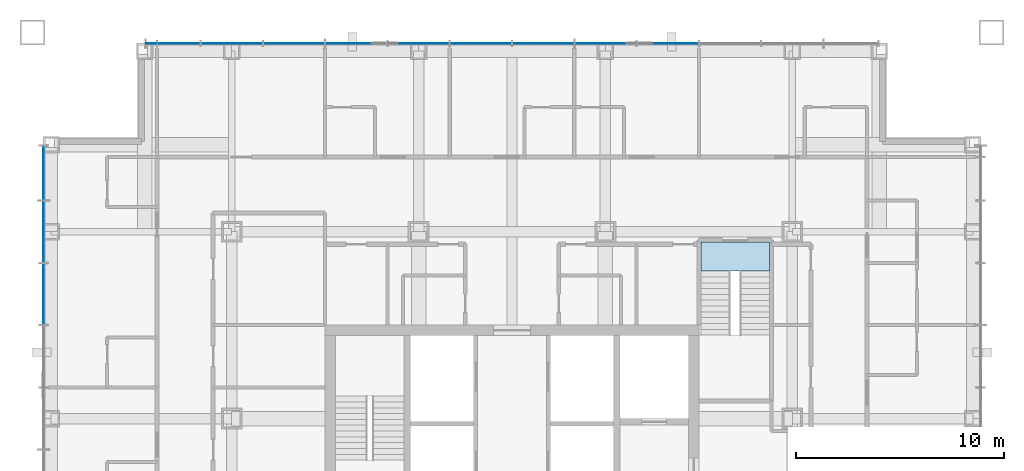
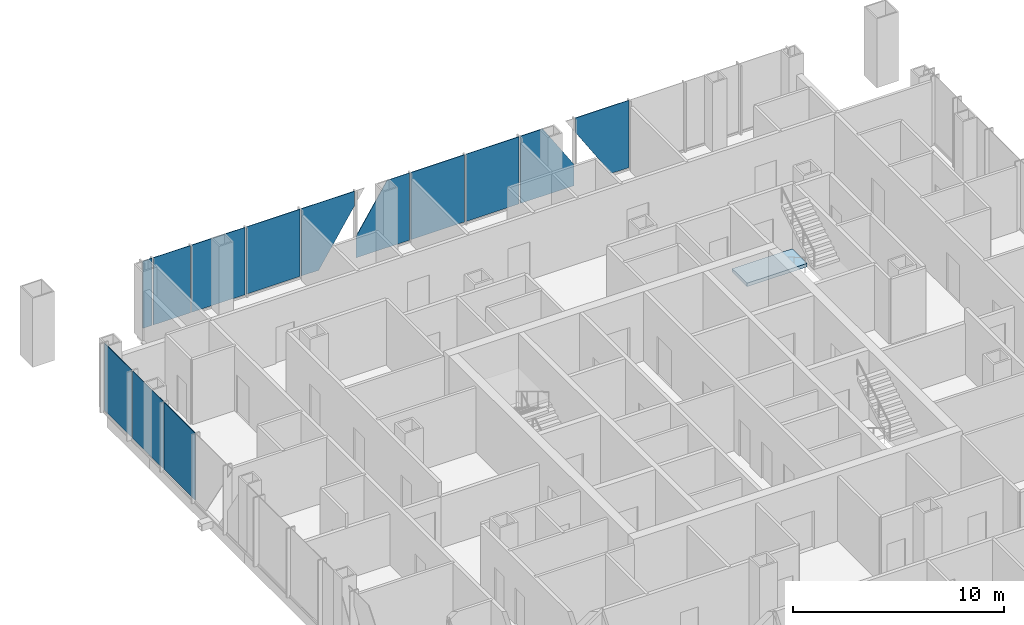
# One storey, part 10 of 20: 13 plates, 1 slab, 3 elements without a shape of their own.
"""IFC4 building model written with IfcOpenShell, lengths in metres."""

import ifcopenshell
import ifcopenshell.guid

model = None  # the IFC model being written
_history = None  # IfcOwnerHistory: only IFC2X3 demands one
_inside = {}  # id of a spatial element -> (the spatial element, [elements in it])
_under = {}  # id of a project, library or spatial element -> (it, [spatial elements below it])
_declared = {}  # id of a project -> (the project, [libraries it declares])
_typed = {}  # id of a type object -> (the type object, [elements of that type])
_made_of = {}  # id of a material, layer set ... -> (it, [elements and type objects made of it])


def new_model(schema):
    """Start an empty IFC model of exactly this schema.

    Asked for "IFC4X3", IfcOpenShell would pick the latest addendum, in which some entities
    have other attributes; the version numbers below select the first issue.
    IFC2X3 requires an IfcOwnerHistory on every rooted entity: one is made here for all.
    """
    global model, _history
    if schema == "IFC4X3":
        model = ifcopenshell.file(schema_version=(4, 3, 0, 0))
    else:
        model = ifcopenshell.file(schema=schema)
    _inside.clear()
    _under.clear()
    _declared.clear()
    _typed.clear()
    _made_of.clear()
    _history = None
    if model.schema == "IFC2X3":
        org = make("IfcOrganization", Name="unknown")
        user = make(
            "IfcPersonAndOrganization",
            ThePerson=make("IfcPerson", FamilyName="unknown"),
            TheOrganization=org,
        )
        app = make(
            "IfcApplication",
            ApplicationDeveloper=org,
            Version="unknown",
            ApplicationFullName="unknown",
            ApplicationIdentifier="unknown",
        )
        _history = make(
            "IfcOwnerHistory",
            OwningUser=user,
            OwningApplication=app,
            ChangeAction="ADDED",
            CreationDate=0,
        )
    return model


def make(cls, **values):
    """One entity of the class cls with the attributes given. An attribute that is None is left unset."""
    return model.create_entity(
        cls, **{name: value for name, value in values.items() if value is not None}
    )


def rooted(cls, **values):
    """An entity with a GlobalId (a new one), such as an element, a storey or a relation."""
    return make(cls, GlobalId=ifcopenshell.guid.new(), OwnerHistory=_history, **values)


def si_unit(unit_type, name, prefix=None):
    """IfcSIUnit, for example si_unit("LENGTHUNIT", "METRE", prefix="MILLI")."""
    return make("IfcSIUnit", UnitType=unit_type, Prefix=prefix, Name=name)


def assignment(units):
    """IfcUnitAssignment: the units of a project."""
    return None if units is None else make("IfcUnitAssignment", Units=units)


def point(xyz):
    """IfcCartesianPoint."""
    return None if xyz is None else make("IfcCartesianPoint", Coordinates=xyz)


def direction(xyz):
    """IfcDirection."""
    return None if xyz is None else make("IfcDirection", DirectionRatios=xyz)


def frame(location, z_axis=None, x_axis=None):
    """IfcAxis2Placement3D, a coordinate frame: its origin and axes. An axis left out is left unset."""
    return make(
        "IfcAxis2Placement3D",
        Location=point(location),
        Axis=direction(z_axis),
        RefDirection=direction(x_axis),
    )


def frame_2d(location, x_axis=None):
    """IfcAxis2Placement2D, a coordinate frame in the plane: its origin and x axis."""
    return make(
        "IfcAxis2Placement2D", Location=point(location), RefDirection=direction(x_axis)
    )


def origin():
    """The frame at (0, 0, 0) with its axes left unset."""
    return frame((0.0, 0.0, 0.0))


def origin_2d():
    """The frame at (0, 0) in the plane with its x axis left unset."""
    return frame_2d((0.0, 0.0))


def place(relative_to, where):
    """IfcLocalPlacement: puts the frame where relative to a parent placement (None: the world)."""
    return make(
        "IfcLocalPlacement", PlacementRelTo=relative_to, RelativePlacement=where
    )


def context(
    kind, dimensions, precision=None, world=None, true_north=None, identifier=None
):
    """IfcGeometricRepresentationContext, for example the 3D "Model" context."""
    return make(
        "IfcGeometricRepresentationContext",
        ContextIdentifier=identifier,
        ContextType=kind,
        CoordinateSpaceDimension=dimensions,
        Precision=precision,
        WorldCoordinateSystem=world,
        TrueNorth=true_north,
    )


def subcontext(parent, identifier, kind, view, scale=None):
    """IfcGeometricRepresentationSubContext, for example "Body" below "Model"."""
    return make(
        "IfcGeometricRepresentationSubContext",
        ContextIdentifier=identifier,
        ContextType=kind,
        ParentContext=parent,
        TargetScale=scale,
        TargetView=view,
    )


def project(units=None, contexts=None):
    """IfcProject with its units and contexts."""
    return rooted(
        "IfcProject",
        Name="project",
        RepresentationContexts=contexts,
        UnitsInContext=assignment(units),
    )


def spatial(cls, under=None, at=None, **own):
    """A site, building, storey or space (cls), placed at a placement, below another one or the project."""
    s = rooted(cls, ObjectPlacement=at, **own)
    if under is not None:
        _under.setdefault(under.id(), (under, []))[1].append(s)
    return s


def polyline(points):
    """IfcPolyline through the points."""
    return make("IfcPolyline", Points=[point(p) for p in points])


def profile(cls, at=None, kind="AREA", **sizes):
    """A parametric profile (cls). Its sizes go by their IFC names, for example OverallWidth=200.0."""
    return make(cls, ProfileType=kind, Position=at, **sizes)


def rectangle(**sizes):
    """IfcRectangleProfileDef."""
    return profile("IfcRectangleProfileDef", **sizes)


def outline(outer, holes=None, kind="AREA"):
    """IfcArbitraryClosedProfileDef: a profile drawn as a closed curve; with holes, ...WithVoids."""
    if holes is None:
        return make("IfcArbitraryClosedProfileDef", ProfileType=kind, OuterCurve=outer)
    return make(
        "IfcArbitraryProfileDefWithVoids",
        ProfileType=kind,
        OuterCurve=outer,
        InnerCurves=holes,
    )


def extrude(swept, where, along, depth):
    """IfcExtrudedAreaSolid: the profile swept, set in the frame where, extruded along a direction by depth."""
    return make(
        "IfcExtrudedAreaSolid",
        SweptArea=swept,
        Position=where,
        ExtrudedDirection=direction(along),
        Depth=depth,
    )


def shape(context_of_items, identifier, shape_type, items):
    """IfcShapeRepresentation: the items that make up one representation, for example the "Body"."""
    return make(
        "IfcShapeRepresentation",
        ContextOfItems=context_of_items,
        RepresentationIdentifier=identifier,
        RepresentationType=shape_type,
        Items=items,
    )


def material(Name=None, Category=None):
    """IfcMaterial."""
    return make("IfcMaterial", Name=Name, Category=Category)


def layer(
    of_material, thickness, ventilated=None, Name=None, Category=None, Priority=None
):
    """IfcMaterialLayer: one layer of a wall or slab, of a material (None: an air gap)."""
    return make(
        "IfcMaterialLayer",
        Material=of_material,
        LayerThickness=thickness,
        IsVentilated=ventilated,
        Name=Name,
        Category=Category,
        Priority=Priority,
    )


def layer_set(layers, Name=None):
    """IfcMaterialLayerSet."""
    return make("IfcMaterialLayerSet", MaterialLayers=layers, LayerSetName=Name)


def made_of(thing, what):
    """Note that an element or type object is made of a material, layer set ...; save() writes the relation."""
    if what is not None:
        _made_of.setdefault(what.id(), (what, []))[1].append(thing)
    return thing


def type_object(cls, material=None, **own):
    """A type object (cls), such as IfcWallType, which elements share."""
    return made_of(rooted(cls, **own), material)


def element(
    cls,
    number,
    at=None,
    inside=None,
    cuts=None,
    type_object=None,
    material=None,
    context=None,
    identifier="Body",
    shape_type=None,
    held_by="IfcProductDefinitionShape",
    body=None,
    shapes=None,
    **own,
):
    """One element of the class cls, such as IfcWall. Its Tag is "e" and its number.

    at: its placement. inside: the storey or other place that contains it. cuts: it is an
    opening in that element (IfcRelVoidsElement). A single representation is given by context,
    identifier, shape_type and body (its items); several are given by shapes. held_by: the class
    of the entity that holds the representations. save() writes the other relations.
    """
    e = rooted(cls, Tag="e%d" % number, ObjectPlacement=at, **own)
    if body is not None:
        shapes = [shape(context, identifier, shape_type, body)]
    if shapes is not None:
        e.Representation = make(held_by, Representations=shapes)
    if inside is not None:
        _inside.setdefault(inside.id(), (inside, []))[1].append(e)
    if cuts is not None:
        rooted(
            "IfcRelVoidsElement", RelatingBuildingElement=cuts, RelatedOpeningElement=e
        )
    if type_object is not None:
        _typed.setdefault(type_object.id(), (type_object, []))[1].append(e)
    return made_of(e, material)


def aggregate(whole, parts):
    """IfcRelAggregates: a whole, such as a stair, and the parts it consists of."""
    return rooted("IfcRelAggregates", RelatingObject=whole, RelatedObjects=parts)


def save(model, path):
    """Write the relations noted so far, then the file.

    IfcRelAggregates (storeys below a building ...), IfcRelContainedInSpatialStructure (elements
    in a storey), IfcRelDefinesByType, IfcRelAssociatesMaterial and IfcRelDeclares: one each for
    every whole, place, type object, material and project.
    """
    for whole, parts in _under.values():
        aggregate(whole, parts)
    for where, things in _inside.values():
        rooted(
            "IfcRelContainedInSpatialStructure",
            RelatedElements=things,
            RelatingStructure=where,
        )
    for kind, things in _typed.values():
        rooted("IfcRelDefinesByType", RelatedObjects=things, RelatingType=kind)
    for what, things in _made_of.values():
        rooted("IfcRelAssociatesMaterial", RelatedObjects=things, RelatingMaterial=what)
    for by, libraries in _declared.values():
        rooted("IfcRelDeclares", RelatingContext=by, RelatedDefinitions=libraries)
    model.write(path)


model = new_model("IFC4")

# Units and contexts
model_context = context("Model", 3, precision=1e-05, world=origin(), true_north=direction((0.0, 1.0)))
body_context = subcontext(model_context, "Body", "Model", "MODEL_VIEW")
ifc_project = project(units=[si_unit("LENGTHUNIT", "METRE"), si_unit("AREAUNIT", "SQUARE_METRE"), si_unit("VOLUMEUNIT", "CUBIC_METRE"), si_unit("PLANEANGLEUNIT", "RADIAN"), si_unit("MASSUNIT", "GRAM", prefix="KILO")], contexts=[model_context])

# Site, building, storey
site_placement = place(None, origin())
site = spatial("IfcSite", under=ifc_project, at=site_placement, CompositionType="ELEMENT")
building_placement = place(site_placement, origin())
building = spatial("IfcBuilding", under=site, at=building_placement, Name="Malebo Sky Hospital", CompositionType="ELEMENT")
storey_placement = place(building_placement, frame((0.0, 0.0, 233.0)))
storey = spatial("IfcBuildingStorey", under=building, at=storey_placement, Name="L56", CompositionType="ELEMENT", Elevation=233.0)

# Stair, slab
ifc_material_1 = material(Name="Concrete C40/50", Category="concrete")
stair_type = type_object("IfcStairType", Name="HALF-TURN STAIR 1400 R167", PredefinedType="HALF_TURN_STAIR", material=ifc_material_1)
stair_placement = place(storey_placement, origin())
stair = element("IfcStair", 1, at=stair_placement, inside=storey, type_object=stair_type, Name="Stair S3 L56 type ST1B", PredefinedType="HALF_TURN_STAIR")
ifc_layer_1 = layer(ifc_material_1, 0.199951171875)
ifc_layer_set_1 = layer_set([ifc_layer_1], Name="STAIR LANDING 200")
slab_type = type_object("IfcSlabType", Name="STAIR LANDING 200", PredefinedType="LANDING", material=ifc_layer_set_1)
slab_placement = place(storey_placement, frame((0.0, 0.0, -0.199951171875)))
slab = element("IfcSlab", 2, at=slab_placement, type_object=slab_type, Name="S3 landing 1", PredefinedType="LANDING", context=body_context, shape_type="SweptSolid", body=[
    extrude(outline(polyline([(69.10009765625, 73.60009765625), (72.39990234375, 73.60009765625), (72.39990234375, 75.0), (69.10009765625, 75.0), (69.10009765625, 73.60009765625)])), origin(), (0.0, 0.0, 1.0), 0.199951171875),
])
aggregate(stair, [slab])

# Curtain wall, plates
ifc_material_2 = material(Name="Anodised aluminium, natural silver", Category="aluminium")
ifc_layer_2 = layer(ifc_material_2, 0.25)
ifc_layer_set_2 = layer_set([ifc_layer_2], Name="WARD CURTAIN WALL NORTH AND SOUTH")
curtain_wall_type_1 = type_object("IfcCurtainWallType", Name="WARD CURTAIN WALL NORTH AND SOUTH", PredefinedType="NOTDEFINED", material=ifc_layer_set_2)
curtain_wall_1_placement = place(storey_placement, origin())
curtain_wall_1 = element("IfcCurtainWall", 3, at=curtain_wall_1_placement, inside=storey, type_object=curtain_wall_type_1, Name="NS curtain wall N", PredefinedType="NOTDEFINED")
ifc_material_3 = material(Name="Clear low-iron double glazing", Category="glass")
ifc_layer_3 = layer(ifc_material_3, 0.031982421875)
ifc_layer_set_3 = layer_set([ifc_layer_3], Name="VISION PANEL CLEAR 32")
plate_type = type_object("IfcPlateType", Name="VISION PANEL CLEAR 32", PredefinedType="CURTAIN_PANEL", material=ifc_layer_set_3)
plate_1_placement = place(storey_placement, frame((42.61865234375, 84.574951171875, 0.10009765625), z_axis=(0.0, 0.0, 1.0), x_axis=(1.0, 0.0, 0.0)))
plate_1 = element("IfcPlate", 4, at=plate_1_placement, type_object=plate_type, Name="Panel 1", PredefinedType="CURTAIN_PANEL", context=body_context, shape_type="SweptSolid", body=[
    extrude(rectangle(XDim=0.487548828125, YDim=0.031982421875, at=origin_2d()), origin(), (0.0, 0.0, 1.0), 3.889892578125),
])
plate_2_placement = place(storey_placement, frame((43.949951171875, 84.574951171875, 0.10009765625), z_axis=(0.0, 0.0, 1.0), x_axis=(1.0, 0.0, 0.0)))
plate_2 = element("IfcPlate", 5, at=plate_2_placement, type_object=plate_type, Name="Panel 2", PredefinedType="CURTAIN_PANEL", context=body_context, shape_type="SweptSolid", body=[
    extrude(rectangle(XDim=2.02490234375, YDim=0.031982421875, at=origin_2d()), origin(), (0.0, 0.0, 1.0), 3.889892578125),
])
plate_3_placement = place(storey_placement, frame((46.5, 84.574951171875, 0.10009765625), z_axis=(0.0, 0.0, 1.0), x_axis=(1.0, 0.0, 0.0)))
plate_3 = element("IfcPlate", 6, at=plate_3_placement, type_object=plate_type, Name="Panel 3", PredefinedType="CURTAIN_PANEL", context=body_context, shape_type="SweptSolid", body=[
    extrude(rectangle(XDim=2.925048828125, YDim=0.031982421875, at=origin_2d()), origin(), (0.0, 0.0, 1.0), 3.889892578125),
])
plate_4_placement = place(storey_placement, frame((49.5, 84.574951171875, 0.10009765625), z_axis=(0.0, 0.0, 1.0), x_axis=(1.0, 0.0, 0.0)))
plate_4 = element("IfcPlate", 7, at=plate_4_placement, type_object=plate_type, Name="Panel 4", PredefinedType="CURTAIN_PANEL", context=body_context, shape_type="SweptSolid", body=[
    extrude(rectangle(XDim=2.925048828125, YDim=0.031982421875, at=origin_2d()), origin(), (0.0, 0.0, 1.0), 3.889892578125),
])
plate_5_placement = place(storey_placement, frame((52.5, 84.574951171875, 0.10009765625), z_axis=(0.0, 0.0, 1.0), x_axis=(1.0, 0.0, 0.0)))
plate_5 = element("IfcPlate", 8, at=plate_5_placement, type_object=plate_type, Name="Panel 5", PredefinedType="CURTAIN_PANEL", context=body_context, shape_type="SweptSolid", body=[
    extrude(outline(polyline([(-1.46240234375, 0.0), (-0.503662109375, 0.0), (1.46240234375, 3.064208984375), (1.46240234375, 3.889892578125), (-1.46240234375, 3.889892578125), (-1.46240234375, 0.0)])), frame((0.0, 0.01611328125, 0.0), z_axis=(0.0, -1.0, 0.0), x_axis=(1.0, 0.0, 0.0)), (0.0, 0.0, 1.0), 0.031982421875),
])
plate_6_placement = place(storey_placement, frame((55.5, 84.574951171875, 0.10009765625), z_axis=(0.0, 0.0, 1.0), x_axis=(1.0, 0.0, 0.0)))
plate_6 = element("IfcPlate", 9, at=plate_6_placement, type_object=plate_type, Name="Panel 6", PredefinedType="CURTAIN_PANEL", context=body_context, shape_type="SweptSolid", body=[
    extrude(outline(polyline([(-1.46240234375, 0.0), (1.46240234375, 0.0), (1.46240234375, 3.889892578125), (0.2412109375, 3.889892578125), (-1.46240234375, 1.23486328125), (-1.46240234375, 0.0)])), frame((0.0, 0.01611328125, 0.0), z_axis=(0.0, -1.0, 0.0), x_axis=(1.0, 0.0, 0.0)), (0.0, 0.0, 1.0), 0.031982421875),
])
plate_7_placement = place(storey_placement, frame((58.5, 84.574951171875, 0.10009765625), z_axis=(0.0, 0.0, 1.0), x_axis=(1.0, 0.0, 0.0)))
plate_7 = element("IfcPlate", 10, at=plate_7_placement, type_object=plate_type, Name="Panel 7", PredefinedType="CURTAIN_PANEL", context=body_context, shape_type="SweptSolid", body=[
    extrude(rectangle(XDim=2.925048828125, YDim=0.031982421875, at=origin_2d()), origin(), (0.0, 0.0, 1.0), 3.889892578125),
])
plate_8_placement = place(storey_placement, frame((61.5, 84.574951171875, 0.10009765625), z_axis=(0.0, 0.0, 1.0), x_axis=(1.0, 0.0, 0.0)))
plate_8 = element("IfcPlate", 11, at=plate_8_placement, type_object=plate_type, Name="Panel 8", PredefinedType="CURTAIN_PANEL", context=body_context, shape_type="SweptSolid", body=[
    extrude(rectangle(XDim=2.925048828125, YDim=0.031982421875, at=origin_2d()), origin(), (0.0, 0.0, 1.0), 3.889892578125),
])
plate_9_placement = place(storey_placement, frame((64.5, 84.574951171875, 0.10009765625), z_axis=(0.0, 0.0, 1.0), x_axis=(1.0, 0.0, 0.0)))
plate_9 = element("IfcPlate", 12, at=plate_9_placement, type_object=plate_type, Name="Panel 9", PredefinedType="CURTAIN_PANEL", context=body_context, shape_type="SweptSolid", body=[
    extrude(outline(polyline([(-1.46240234375, 0.0), (1.46240234375, 0.0), (1.46240234375, 1.23486328125), (-0.2412109375, 3.889892578125), (-1.46240234375, 3.889892578125), (-1.46240234375, 0.0)])), frame((0.0, 0.01611328125, 0.0), z_axis=(0.0, -1.0, 0.0), x_axis=(1.0, 0.0, 0.0)), (0.0, 0.0, 1.0), 0.031982421875),
])
plate_10_placement = place(storey_placement, frame((67.5, 84.574951171875, 0.10009765625), z_axis=(0.0, 0.0, 1.0), x_axis=(1.0, 0.0, 0.0)))
plate_10 = element("IfcPlate", 13, at=plate_10_placement, type_object=plate_type, Name="Panel 10", PredefinedType="CURTAIN_PANEL", context=body_context, shape_type="SweptSolid", body=[
    extrude(outline(polyline([(0.503662109375, 0.0), (1.46240234375, 0.0), (1.46240234375, 3.889892578125), (-1.46240234375, 3.889892578125), (-1.46240234375, 3.064208984375), (0.503662109375, 0.0)])), frame((0.0, 0.01611328125, 0.0), z_axis=(0.0, -1.0, 0.0), x_axis=(1.0, 0.0, 0.0)), (0.0, 0.0, 1.0), 0.031982421875),
])
aggregate(curtain_wall_1, [plate_1, plate_2, plate_3, plate_4, plate_5, plate_6, plate_7, plate_8, plate_9, plate_10])

ifc_layer_4 = layer(ifc_material_2, 0.25)
ifc_layer_set_4 = layer_set([ifc_layer_4], Name="WARD CURTAIN WALL EAST AND WEST")
curtain_wall_type_2 = type_object("IfcCurtainWallType", Name="WARD CURTAIN WALL EAST AND WEST", PredefinedType="NOTDEFINED", material=ifc_layer_set_4)
curtain_wall_2_placement = place(storey_placement, origin())
curtain_wall_2 = element("IfcCurtainWall", 14, at=curtain_wall_2_placement, inside=storey, type_object=curtain_wall_type_2, Name="EW curtain wall W", PredefinedType="NOTDEFINED")
plate_11_placement = place(storey_placement, frame((37.425048828125, 72.5, 0.10009765625), z_axis=(0.0, 0.0, 1.0), x_axis=(0.0, 1.0, 0.0)))
plate_11 = element("IfcPlate", 15, at=plate_11_placement, type_object=plate_type, Name="Panel 11", PredefinedType="CURTAIN_PANEL", context=body_context, shape_type="SweptSolid", body=[
    extrude(rectangle(XDim=2.925048828125, YDim=0.031982421875, at=origin_2d()), origin(), (0.0, 0.0, 1.0), 3.889892578125),
])
plate_12_placement = place(storey_placement, frame((37.425048828125, 75.5, 0.10009765625), z_axis=(0.0, 0.0, 1.0), x_axis=(0.0, 1.0, 0.0)))
plate_12 = element("IfcPlate", 16, at=plate_12_placement, type_object=plate_type, Name="Panel 12", PredefinedType="CURTAIN_PANEL", context=body_context, shape_type="SweptSolid", body=[
    extrude(rectangle(XDim=2.925048828125, YDim=0.031982421875, at=origin_2d()), origin(), (0.0, 0.0, 1.0), 3.889892578125),
])
plate_13_placement = place(storey_placement, frame((37.425048828125, 78.331298828125, 0.10009765625), z_axis=(0.0, 0.0, 1.0), x_axis=(0.0, 1.0, 0.0)))
plate_13 = element("IfcPlate", 17, at=plate_13_placement, type_object=plate_type, Name="Panel 13", PredefinedType="CURTAIN_PANEL", context=body_context, shape_type="SweptSolid", body=[
    extrude(rectangle(XDim=2.58740234375, YDim=0.031982421875, at=origin_2d()), origin(), (0.0, 0.0, 1.0), 3.889892578125),
])
aggregate(curtain_wall_2, [plate_11, plate_12, plate_13])

save(model, "model.ifc")
